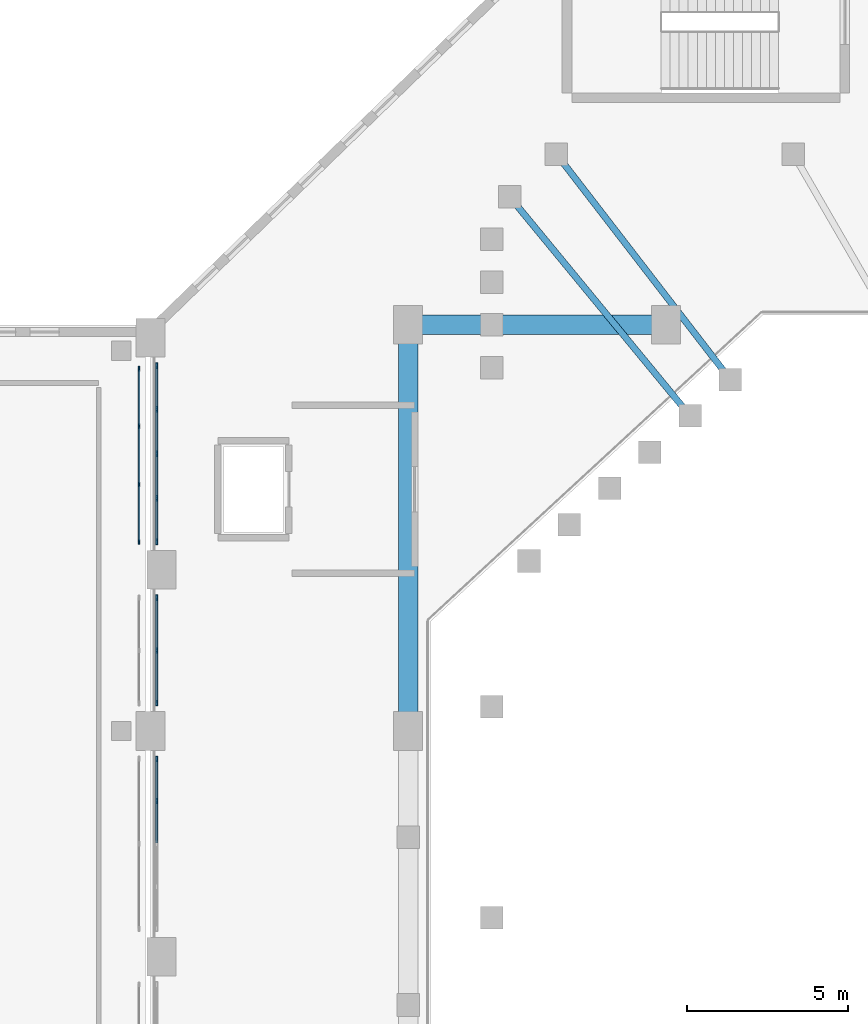
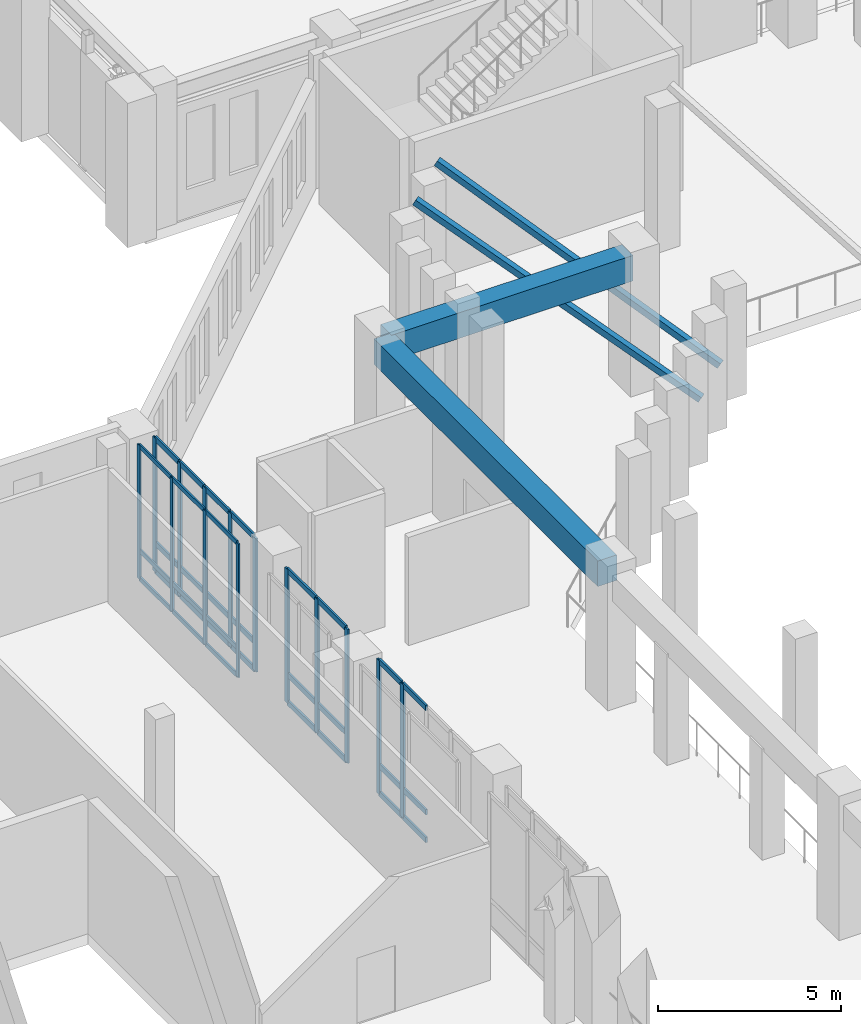
# One storey, part 31 of 126: 49 members, 2 beams, 4 elements without a shape of their own.
"""IFC4 building model written with IfcOpenShell, lengths in metres."""

from ifc_helpers import new_model, si_unit, derived_unit, direction, frame, origin, origin_2d, place, context, subcontext, project, spatial, rectangle, hollow_rectangle, extrude, material, layer, layer_set, material_profile, profile_set, type_object, element, aggregate, save


model = new_model("IFC4")

# Units and contexts
model_context = context("Model", 3, precision=1e-05, world=origin(), true_north=direction((0.0, 1.0)))
body_context = subcontext(model_context, "Body", "Model", "MODEL_VIEW")
ifc_project = project(units=[si_unit("LENGTHUNIT", "METRE"), si_unit("AREAUNIT", "SQUARE_METRE"), si_unit("VOLUMEUNIT", "CUBIC_METRE"), si_unit("PLANEANGLEUNIT", "RADIAN"), si_unit("MASSUNIT", "GRAM", prefix="KILO"), derived_unit("THERMALTRANSMITTANCEUNIT", [(si_unit("MASSUNIT", "GRAM", prefix="KILO"), 1), (si_unit("TIMEUNIT", "SECOND"), -3), (si_unit("THERMODYNAMICTEMPERATUREUNIT", "KELVIN"), -1)])], contexts=[model_context])

# Site, building, storey
site_placement = place(None, origin())
site = spatial("IfcSite", under=ifc_project, at=site_placement, CompositionType="ELEMENT")
building_placement = place(site_placement, origin())
building = spatial("IfcBuilding", under=site, at=building_placement, Name="Valcora Ridge Arena", CompositionType="ELEMENT")
storey_placement = place(building_placement, frame((0.0, 0.0, 11.39990234375)))
storey = spatial("IfcBuildingStorey", under=building, at=storey_placement, Name="L02", CompositionType="ELEMENT", Elevation=11.39990234375)

# Beams
ifc_material_1 = material(Name="Concrete C40/50", Category="concrete")
ifc_material_profile_1 = material_profile(ifc_material_1, rectangle(XDim=0.60009765625, YDim=0.85009765625, at=origin_2d()), Name="RC 600x850")
ifc_profile_set_1 = profile_set([ifc_material_profile_1], Name="Concrete C40/50")
beam_type_1 = type_object("IfcBeamType", Name="TY-BEAM-B-RC600-Y", PredefinedType="BEAM", material=ifc_profile_set_1)
beam_1_placement = place(storey_placement, frame((24.0, 83.199951171875, 4.025146484375), z_axis=(0.0, 1.0, 0.0), x_axis=(-1.0, 0.0, 0.0)))
element("IfcBeam", 1, at=beam_1_placement, inside=storey, type_object=beam_type_1, Name="B-RC600-Y BEM-B-RC600-Y-0020", PredefinedType="BEAM", context=body_context, shape_type="SweptSolid", body=[
    extrude(rectangle(XDim=0.60009765625, YDim=0.85009765625, at=origin_2d()), origin(), (0.0, 0.0, 1.0), 12.199951171875),
])
ifc_material_profile_2 = material_profile(ifc_material_1, rectangle(XDim=0.60009765625, YDim=0.85009765625, at=origin_2d()), Name="RC 600x850")
ifc_profile_set_2 = profile_set([ifc_material_profile_2], Name="Concrete C40/50")
beam_type_2 = type_object("IfcBeamType", Name="TY-BEAM-EB-RC600", PredefinedType="BEAM", material=ifc_profile_set_2)
beam_2_placement = place(storey_placement, frame((24.199951171875, 95.60009765625, 4.025146484375), z_axis=(1.0, 0.0, 0.0), x_axis=(0.0, 1.0, 0.0)))
element("IfcBeam", 2, at=beam_2_placement, inside=storey, type_object=beam_type_2, Name="EB-RC600 BEM-EB-RC600-0032", PredefinedType="BEAM", context=body_context, shape_type="SweptSolid", body=[
    extrude(rectangle(XDim=0.60009765625, YDim=0.85009765625, at=origin_2d()), origin(), (0.0, 0.0, 1.0), 7.60009765625),
])

# Curtain wall, members
ifc_material_2 = material(Name="Anodised dark bronze architectural aluminium 6063-T6", Category="aluminium")
ifc_layer_1 = layer(ifc_material_2, 0.14990234375, Name="Anodised dark bronze architectural aluminium 6063-T6")
ifc_layer_set_1 = layer_set([ifc_layer_1], Name="Anodised dark bronze architectural aluminium 6063-T6")
curtain_wall_type_1 = type_object("IfcCurtainWallType", Name="TY-CURTAINWALL-CW-V4-CLUB-054X44", PredefinedType="NOTDEFINED", material=ifc_layer_set_1)
curtain_wall_1_placement = place(storey_placement, origin())
curtain_wall_1 = element("IfcCurtainWall", 3, at=curtain_wall_1_placement, inside=storey, type_object=curtain_wall_type_1, Name="CW-V4-CLUB-054X44 CW-0269", PredefinedType="NOTDEFINED")
ifc_material_profile_3 = material_profile(ifc_material_2, rectangle(XDim=0.050048828125, YDim=0.14990234375, at=origin_2d()), Name="ALU MULLION 50x150")
ifc_profile_set_3 = profile_set([ifc_material_profile_3], Name="Anodised dark bronze architectural aluminium 6063-T6")
member_type_1 = type_object("IfcMemberType", Name="TY-MEM-CWM-50x150", PredefinedType="MULLION", material=ifc_profile_set_3)
member_1_placement = place(storey_placement, frame((15.64990234375, 88.864990234375, 0.0), z_axis=(0.0, 0.0, 1.0), x_axis=(-1.0, 0.0, 0.0)))
member_1 = element("IfcMember", 4, at=member_1_placement, type_object=member_type_1, Name="CW-0269/CWM-50x150/M00", PredefinedType="MULLION", context=body_context, shape_type="SweptSolid", body=[
    extrude(rectangle(XDim=0.050048828125, YDim=0.14990234375, at=origin_2d()), origin(), (0.0, 0.0, 1.0), 4.4501953125),
])
member_2_placement = place(storey_placement, frame((15.64990234375, 90.646728515625, 0.0), z_axis=(0.0, 0.0, 1.0), x_axis=(-1.0, 0.0, 0.0)))
member_2 = element("IfcMember", 5, at=member_2_placement, type_object=member_type_1, Name="CW-0269/CWM-50x150/M01", PredefinedType="MULLION", context=body_context, shape_type="SweptSolid", body=[
    extrude(rectangle(XDim=0.050048828125, YDim=0.14990234375, at=origin_2d()), origin(), (0.0, 0.0, 1.0), 4.4501953125),
])
member_3_placement = place(storey_placement, frame((15.64990234375, 92.453369140625, 0.0), z_axis=(0.0, 0.0, 1.0), x_axis=(-1.0, 0.0, 0.0)))
member_3 = element("IfcMember", 6, at=member_3_placement, type_object=member_type_1, Name="CW-0269/CWM-50x150/M02", PredefinedType="MULLION", context=body_context, shape_type="SweptSolid", body=[
    extrude(rectangle(XDim=0.050048828125, YDim=0.14990234375, at=origin_2d()), origin(), (0.0, 0.0, 1.0), 4.4501953125),
])
member_4_placement = place(storey_placement, frame((15.64990234375, 94.235107421875, 0.0), z_axis=(0.0, 0.0, 1.0), x_axis=(-1.0, 0.0, 0.0)))
member_4 = element("IfcMember", 7, at=member_4_placement, type_object=member_type_1, Name="CW-0269/CWM-50x150/M03", PredefinedType="MULLION", context=body_context, shape_type="SweptSolid", body=[
    extrude(rectangle(XDim=0.050048828125, YDim=0.14990234375, at=origin_2d()), origin(), (0.0, 0.0, 1.0), 4.4501953125),
])

ifc_layer_2 = layer(ifc_material_2, 0.179931640625, Name="Anodised dark bronze architectural aluminium 6063-T6")
ifc_layer_set_2 = layer_set([ifc_layer_2], Name="Anodised dark bronze architectural aluminium 6063-T6")
curtain_wall_type_2 = type_object("IfcCurtainWallType", Name="TY-CURTAINWALL-CW-V1-GOTH-053X44", PredefinedType="NOTDEFINED", material=ifc_layer_set_2)
curtain_wall_2_placement = place(storey_placement, origin())
curtain_wall_2 = element("IfcCurtainWall", 8, at=curtain_wall_2_placement, inside=storey, type_object=curtain_wall_type_2, Name="CW-V1-GOTH-053X44 CW-0117", PredefinedType="NOTDEFINED")
ifc_material_profile_4 = material_profile(ifc_material_2, rectangle(XDim=0.06005859375, YDim=0.179931640625, at=origin_2d()), Name="ALU MULLION 60x180")
ifc_profile_set_4 = profile_set([ifc_material_profile_4], Name="Anodised dark bronze architectural aluminium 6063-T6")
member_type_2 = type_object("IfcMemberType", Name="TY-MEM-CWM-60x180", PredefinedType="MULLION", material=ifc_profile_set_4)
member_5_placement = place(storey_placement, frame((16.199951171875, 80.830078125, 0.0), z_axis=(0.0, 0.0, 1.0), x_axis=(-1.0, 0.0, 0.0)))
member_5 = element("IfcMember", 9, at=member_5_placement, type_object=member_type_2, Name="CW-0117/CWM-60x180/M03", PredefinedType="MULLION", context=body_context, shape_type="SweptSolid", body=[
    extrude(rectangle(XDim=0.06005859375, YDim=0.179931640625, at=origin_2d()), origin(), (0.0, 0.0, 1.0), 4.4501953125),
])
member_6_placement = place(storey_placement, frame((16.199951171875, 82.1298828125, 0.0), z_axis=(0.0, 0.0, 1.0), x_axis=(-1.0, 0.0, 0.0)))
member_6 = element("IfcMember", 10, at=member_6_placement, type_object=member_type_2, Name="CW-0117/CWM-60x180/M04", PredefinedType="MULLION", context=body_context, shape_type="SweptSolid", body=[
    extrude(rectangle(XDim=0.06005859375, YDim=0.179931640625, at=origin_2d()), origin(), (0.0, 0.0, 1.0), 4.4501953125),
])

ifc_layer_3 = layer(ifc_material_2, 0.179931640625, Name="Anodised dark bronze architectural aluminium 6063-T6")
ifc_layer_set_3 = layer_set([ifc_layer_3], Name="Anodised dark bronze architectural aluminium 6063-T6")
curtain_wall_type_3 = type_object("IfcCurtainWallType", Name="TY-CURTAINWALL-CW-V1-GOTH-033X44", PredefinedType="NOTDEFINED", material=ifc_layer_set_3)
curtain_wall_3_placement = place(storey_placement, origin())
curtain_wall_3 = element("IfcCurtainWall", 11, at=curtain_wall_3_placement, inside=storey, type_object=curtain_wall_type_3, Name="CW-V1-GOTH-033X44 CW-0118", PredefinedType="NOTDEFINED")
member_7_placement = place(storey_placement, frame((16.199951171875, 83.8701171875, 0.0), z_axis=(0.0, 0.0, 1.0), x_axis=(-1.0, 0.0, 0.0)))
member_7 = element("IfcMember", 12, at=member_7_placement, type_object=member_type_2, Name="CW-0118/CWM-60x180/M00", PredefinedType="MULLION", context=body_context, shape_type="SweptSolid", body=[
    extrude(rectangle(XDim=0.06005859375, YDim=0.179931640625, at=origin_2d()), origin(), (0.0, 0.0, 1.0), 4.4501953125),
])
member_8_placement = place(storey_placement, frame((16.199951171875, 85.5, 0.0), z_axis=(0.0, 0.0, 1.0), x_axis=(-1.0, 0.0, 0.0)))
member_8 = element("IfcMember", 13, at=member_8_placement, type_object=member_type_2, Name="CW-0118/CWM-60x180/M01", PredefinedType="MULLION", context=body_context, shape_type="SweptSolid", body=[
    extrude(rectangle(XDim=0.06005859375, YDim=0.179931640625, at=origin_2d()), origin(), (0.0, 0.0, 1.0), 4.4501953125),
])
member_9_placement = place(storey_placement, frame((16.199951171875, 87.1298828125, 0.0), z_axis=(0.0, 0.0, 1.0), x_axis=(-1.0, 0.0, 0.0)))
member_9 = element("IfcMember", 14, at=member_9_placement, type_object=member_type_2, Name="CW-0118/CWM-60x180/M02", PredefinedType="MULLION", context=body_context, shape_type="SweptSolid", body=[
    extrude(rectangle(XDim=0.06005859375, YDim=0.179931640625, at=origin_2d()), origin(), (0.0, 0.0, 1.0), 4.4501953125),
])

ifc_layer_4 = layer(ifc_material_2, 0.179931640625, Name="Anodised dark bronze architectural aluminium 6063-T6")
ifc_layer_set_4 = layer_set([ifc_layer_4], Name="Anodised dark bronze architectural aluminium 6063-T6")
curtain_wall_type_4 = type_object("IfcCurtainWallType", Name="TY-CURTAINWALL-CW-V1-GOTH-055X44", PredefinedType="NOTDEFINED", material=ifc_layer_set_4)
curtain_wall_4_placement = place(storey_placement, origin())
curtain_wall_4 = element("IfcCurtainWall", 15, at=curtain_wall_4_placement, inside=storey, type_object=curtain_wall_type_4, Name="CW-V1-GOTH-055X44 CW-0119", PredefinedType="NOTDEFINED")
member_10_placement = place(storey_placement, frame((16.199951171875, 88.8701171875, 0.0), z_axis=(0.0, 0.0, 1.0), x_axis=(-1.0, 0.0, 0.0)))
member_10 = element("IfcMember", 16, at=member_10_placement, type_object=member_type_2, Name="CW-0119/CWM-60x180/M00", PredefinedType="MULLION", context=body_context, shape_type="SweptSolid", body=[
    extrude(rectangle(XDim=0.06005859375, YDim=0.179931640625, at=origin_2d()), origin(), (0.0, 0.0, 1.0), 4.4501953125),
])
member_11_placement = place(storey_placement, frame((16.199951171875, 90.219970703125, 0.0), z_axis=(0.0, 0.0, 1.0), x_axis=(-1.0, 0.0, 0.0)))
member_11 = element("IfcMember", 17, at=member_11_placement, type_object=member_type_2, Name="CW-0119/CWM-60x180/M01", PredefinedType="MULLION", context=body_context, shape_type="SweptSolid", body=[
    extrude(rectangle(XDim=0.06005859375, YDim=0.179931640625, at=origin_2d()), origin(), (0.0, 0.0, 1.0), 4.4501953125),
])
member_12_placement = place(storey_placement, frame((16.199951171875, 91.60009765625, 0.0), z_axis=(0.0, 0.0, 1.0), x_axis=(-1.0, 0.0, 0.0)))
member_12 = element("IfcMember", 18, at=member_12_placement, type_object=member_type_2, Name="CW-0119/CWM-60x180/M02", PredefinedType="MULLION", context=body_context, shape_type="SweptSolid", body=[
    extrude(rectangle(XDim=0.06005859375, YDim=0.179931640625, at=origin_2d()), origin(), (0.0, 0.0, 1.0), 4.4501953125),
])
member_13_placement = place(storey_placement, frame((16.199951171875, 92.97998046875, 0.0), z_axis=(0.0, 0.0, 1.0), x_axis=(-1.0, 0.0, 0.0)))
member_13 = element("IfcMember", 19, at=member_13_placement, type_object=member_type_2, Name="CW-0119/CWM-60x180/M03", PredefinedType="MULLION", context=body_context, shape_type="SweptSolid", body=[
    extrude(rectangle(XDim=0.06005859375, YDim=0.179931640625, at=origin_2d()), origin(), (0.0, 0.0, 1.0), 4.4501953125),
])
member_14_placement = place(storey_placement, frame((16.199951171875, 94.330078125, 0.0), z_axis=(0.0, 0.0, 1.0), x_axis=(-1.0, 0.0, 0.0)))
member_14 = element("IfcMember", 20, at=member_14_placement, type_object=member_type_2, Name="CW-0119/CWM-60x180/M04", PredefinedType="MULLION", context=body_context, shape_type="SweptSolid", body=[
    extrude(rectangle(XDim=0.06005859375, YDim=0.179931640625, at=origin_2d()), origin(), (0.0, 0.0, 1.0), 4.4501953125),
])

# Member
ifc_material_profile_5 = material_profile(ifc_material_2, rectangle(XDim=0.050048828125, YDim=0.14990234375, at=origin_2d()), Name="ALU TRANSOM 50x150")
ifc_profile_set_5 = profile_set([ifc_material_profile_5], Name="Anodised dark bronze architectural aluminium 6063-T6")
member_type_3 = type_object("IfcMemberType", Name="TY-MEM-CWT-50x150", PredefinedType="USERDEFINED", material=ifc_profile_set_5)
member_15_placement = place(storey_placement, frame((15.64990234375, 88.889892578125, 0.025146484375), z_axis=(0.0, 1.0, 0.0), x_axis=(-1.0, 0.0, 0.0)))
member_15 = element("IfcMember", 21, at=member_15_placement, type_object=member_type_3, Name="CW-0269/CWT-50x150/T00-00", ObjectType="TRANSOM", PredefinedType="USERDEFINED", context=body_context, shape_type="SweptSolid", body=[
    extrude(rectangle(XDim=0.050048828125, YDim=0.14990234375, at=origin_2d()), origin(), (0.0, 0.0, 1.0), 1.732177734375),
])

member_16_placement = place(storey_placement, frame((15.64990234375, 88.889892578125, 0.9501953125), z_axis=(0.0, 1.0, 0.0), x_axis=(-1.0, 0.0, 0.0)))
member_16 = element("IfcMember", 22, at=member_16_placement, type_object=member_type_3, Name="CW-0269/CWT-50x150/T00-01", ObjectType="TRANSOM", PredefinedType="USERDEFINED", context=body_context, shape_type="SweptSolid", body=[
    extrude(rectangle(XDim=0.050048828125, YDim=0.14990234375, at=origin_2d()), origin(), (0.0, 0.0, 1.0), 1.732177734375),
])

member_17_placement = place(storey_placement, frame((15.64990234375, 88.889892578125, 4.425048828125), z_axis=(0.0, 1.0, 0.0), x_axis=(-1.0, 0.0, 0.0)))
member_17 = element("IfcMember", 23, at=member_17_placement, type_object=member_type_3, Name="CW-0269/CWT-50x150/T00-02", ObjectType="TRANSOM", PredefinedType="USERDEFINED", context=body_context, shape_type="SweptSolid", body=[
    extrude(rectangle(XDim=0.050048828125, YDim=0.14990234375, at=origin_2d()), origin(), (0.0, 0.0, 1.0), 1.732177734375),
])

member_18_placement = place(storey_placement, frame((15.64990234375, 90.672119140625, 0.025146484375), z_axis=(0.0, 1.0, 0.0), x_axis=(-1.0, 0.0, 0.0)))
member_18 = element("IfcMember", 24, at=member_18_placement, type_object=member_type_3, Name="CW-0269/CWT-50x150/T01-00", ObjectType="TRANSOM", PredefinedType="USERDEFINED", context=body_context, shape_type="SweptSolid", body=[
    extrude(rectangle(XDim=0.050048828125, YDim=0.14990234375, at=origin_2d()), origin(), (0.0, 0.0, 1.0), 1.755859375),
])

member_19_placement = place(storey_placement, frame((15.64990234375, 90.672119140625, 0.9501953125), z_axis=(0.0, 1.0, 0.0), x_axis=(-1.0, 0.0, 0.0)))
member_19 = element("IfcMember", 25, at=member_19_placement, type_object=member_type_3, Name="CW-0269/CWT-50x150/T01-01", ObjectType="TRANSOM", PredefinedType="USERDEFINED", context=body_context, shape_type="SweptSolid", body=[
    extrude(rectangle(XDim=0.050048828125, YDim=0.14990234375, at=origin_2d()), origin(), (0.0, 0.0, 1.0), 1.755859375),
])

member_20_placement = place(storey_placement, frame((15.64990234375, 90.672119140625, 4.425048828125), z_axis=(0.0, 1.0, 0.0), x_axis=(-1.0, 0.0, 0.0)))
member_20 = element("IfcMember", 26, at=member_20_placement, type_object=member_type_3, Name="CW-0269/CWT-50x150/T01-02", ObjectType="TRANSOM", PredefinedType="USERDEFINED", context=body_context, shape_type="SweptSolid", body=[
    extrude(rectangle(XDim=0.050048828125, YDim=0.14990234375, at=origin_2d()), origin(), (0.0, 0.0, 1.0), 1.755859375),
])

member_21_placement = place(storey_placement, frame((15.64990234375, 92.47802734375, 0.025146484375), z_axis=(0.0, 1.0, 0.0), x_axis=(-1.0, 0.0, 0.0)))
member_21 = element("IfcMember", 27, at=member_21_placement, type_object=member_type_3, Name="CW-0269/CWT-50x150/T02-00", ObjectType="TRANSOM", PredefinedType="USERDEFINED", context=body_context, shape_type="SweptSolid", body=[
    extrude(rectangle(XDim=0.050048828125, YDim=0.14990234375, at=origin_2d()), origin(), (0.0, 0.0, 1.0), 1.73193359375),
])

member_22_placement = place(storey_placement, frame((15.64990234375, 92.47802734375, 0.9501953125), z_axis=(0.0, 1.0, 0.0), x_axis=(-1.0, 0.0, 0.0)))
member_22 = element("IfcMember", 28, at=member_22_placement, type_object=member_type_3, Name="CW-0269/CWT-50x150/T02-01", ObjectType="TRANSOM", PredefinedType="USERDEFINED", context=body_context, shape_type="SweptSolid", body=[
    extrude(rectangle(XDim=0.050048828125, YDim=0.14990234375, at=origin_2d()), origin(), (0.0, 0.0, 1.0), 1.73193359375),
])

member_23_placement = place(storey_placement, frame((15.64990234375, 92.47802734375, 4.425048828125), z_axis=(0.0, 1.0, 0.0), x_axis=(-1.0, 0.0, 0.0)))
member_23 = element("IfcMember", 29, at=member_23_placement, type_object=member_type_3, Name="CW-0269/CWT-50x150/T02-02", ObjectType="TRANSOM", PredefinedType="USERDEFINED", context=body_context, shape_type="SweptSolid", body=[
    extrude(rectangle(XDim=0.050048828125, YDim=0.14990234375, at=origin_2d()), origin(), (0.0, 0.0, 1.0), 1.73193359375),
])

aggregate(curtain_wall_1, [member_1, member_2, member_3, member_4, member_15, member_16, member_17, member_18, member_19, member_20, member_21, member_22, member_23])

ifc_material_profile_6 = material_profile(ifc_material_2, rectangle(XDim=0.06005859375, YDim=0.179931640625, at=origin_2d()), Name="ALU TRANSOM 60x180")
ifc_profile_set_6 = profile_set([ifc_material_profile_6], Name="Anodised dark bronze architectural aluminium 6063-T6")
member_type_4 = type_object("IfcMemberType", Name="TY-MEM-CWT-60x180", PredefinedType="USERDEFINED", material=ifc_profile_set_6)
member_24_placement = place(storey_placement, frame((16.199951171875, 79.530029296875, 0.030029296875), z_axis=(0.0, 1.0, 0.0), x_axis=(-1.0, 0.0, 0.0)))
member_24 = element("IfcMember", 30, at=member_24_placement, type_object=member_type_4, Name="CW-0117/CWT-60x180/T02-00", ObjectType="TRANSOM", PredefinedType="USERDEFINED", context=body_context, shape_type="SweptSolid", body=[
    extrude(rectangle(XDim=0.06005859375, YDim=0.179931640625, at=origin_2d()), origin(), (0.0, 0.0, 1.0), 1.27001953125),
])

member_25_placement = place(storey_placement, frame((16.199951171875, 79.530029296875, 0.9501953125), z_axis=(0.0, 1.0, 0.0), x_axis=(-1.0, 0.0, 0.0)))
member_25 = element("IfcMember", 31, at=member_25_placement, type_object=member_type_4, Name="CW-0117/CWT-60x180/T02-01", ObjectType="TRANSOM", PredefinedType="USERDEFINED", context=body_context, shape_type="SweptSolid", body=[
    extrude(rectangle(XDim=0.06005859375, YDim=0.179931640625, at=origin_2d()), origin(), (0.0, 0.0, 1.0), 1.27001953125),
])

member_26_placement = place(storey_placement, frame((16.199951171875, 79.530029296875, 4.420166015625), z_axis=(0.0, 1.0, 0.0), x_axis=(-1.0, 0.0, 0.0)))
member_26 = element("IfcMember", 32, at=member_26_placement, type_object=member_type_4, Name="CW-0117/CWT-60x180/T02-02", ObjectType="TRANSOM", PredefinedType="USERDEFINED", context=body_context, shape_type="SweptSolid", body=[
    extrude(rectangle(XDim=0.06005859375, YDim=0.179931640625, at=origin_2d()), origin(), (0.0, 0.0, 1.0), 1.27001953125),
])

member_27_placement = place(storey_placement, frame((16.199951171875, 80.860107421875, 0.030029296875), z_axis=(0.0, 1.0, 0.0), x_axis=(-1.0, 0.0, 0.0)))
member_27 = element("IfcMember", 33, at=member_27_placement, type_object=member_type_4, Name="CW-0117/CWT-60x180/T03-00", ObjectType="TRANSOM", PredefinedType="USERDEFINED", context=body_context, shape_type="SweptSolid", body=[
    extrude(rectangle(XDim=0.06005859375, YDim=0.179931640625, at=origin_2d()), origin(), (0.0, 0.0, 1.0), 1.239990234375),
])

member_28_placement = place(storey_placement, frame((16.199951171875, 80.860107421875, 0.9501953125), z_axis=(0.0, 1.0, 0.0), x_axis=(-1.0, 0.0, 0.0)))
member_28 = element("IfcMember", 34, at=member_28_placement, type_object=member_type_4, Name="CW-0117/CWT-60x180/T03-01", ObjectType="TRANSOM", PredefinedType="USERDEFINED", context=body_context, shape_type="SweptSolid", body=[
    extrude(rectangle(XDim=0.06005859375, YDim=0.179931640625, at=origin_2d()), origin(), (0.0, 0.0, 1.0), 1.239990234375),
])

member_29_placement = place(storey_placement, frame((16.199951171875, 80.860107421875, 4.420166015625), z_axis=(0.0, 1.0, 0.0), x_axis=(-1.0, 0.0, 0.0)))
member_29 = element("IfcMember", 35, at=member_29_placement, type_object=member_type_4, Name="CW-0117/CWT-60x180/T03-02", ObjectType="TRANSOM", PredefinedType="USERDEFINED", context=body_context, shape_type="SweptSolid", body=[
    extrude(rectangle(XDim=0.06005859375, YDim=0.179931640625, at=origin_2d()), origin(), (0.0, 0.0, 1.0), 1.239990234375),
])

aggregate(curtain_wall_2, [member_5, member_6, member_24, member_25, member_26, member_27, member_28, member_29])

member_30_placement = place(storey_placement, frame((16.199951171875, 83.89990234375, 0.030029296875), z_axis=(0.0, 1.0, 0.0), x_axis=(-1.0, 0.0, 0.0)))
member_30 = element("IfcMember", 36, at=member_30_placement, type_object=member_type_4, Name="CW-0118/CWT-60x180/T00-00", ObjectType="TRANSOM", PredefinedType="USERDEFINED", context=body_context, shape_type="SweptSolid", body=[
    extrude(rectangle(XDim=0.06005859375, YDim=0.179931640625, at=origin_2d()), origin(), (0.0, 0.0, 1.0), 1.570068359375),
])

member_31_placement = place(storey_placement, frame((16.199951171875, 83.89990234375, 0.9501953125), z_axis=(0.0, 1.0, 0.0), x_axis=(-1.0, 0.0, 0.0)))
member_31 = element("IfcMember", 37, at=member_31_placement, type_object=member_type_4, Name="CW-0118/CWT-60x180/T00-01", ObjectType="TRANSOM", PredefinedType="USERDEFINED", context=body_context, shape_type="SweptSolid", body=[
    extrude(rectangle(XDim=0.06005859375, YDim=0.179931640625, at=origin_2d()), origin(), (0.0, 0.0, 1.0), 1.570068359375),
])

member_32_placement = place(storey_placement, frame((16.199951171875, 83.89990234375, 4.420166015625), z_axis=(0.0, 1.0, 0.0), x_axis=(-1.0, 0.0, 0.0)))
member_32 = element("IfcMember", 38, at=member_32_placement, type_object=member_type_4, Name="CW-0118/CWT-60x180/T00-02", ObjectType="TRANSOM", PredefinedType="USERDEFINED", context=body_context, shape_type="SweptSolid", body=[
    extrude(rectangle(XDim=0.06005859375, YDim=0.179931640625, at=origin_2d()), origin(), (0.0, 0.0, 1.0), 1.570068359375),
])

member_33_placement = place(storey_placement, frame((16.199951171875, 85.530029296875, 0.030029296875), z_axis=(0.0, 1.0, 0.0), x_axis=(-1.0, 0.0, 0.0)))
member_33 = element("IfcMember", 39, at=member_33_placement, type_object=member_type_4, Name="CW-0118/CWT-60x180/T01-00", ObjectType="TRANSOM", PredefinedType="USERDEFINED", context=body_context, shape_type="SweptSolid", body=[
    extrude(rectangle(XDim=0.06005859375, YDim=0.179931640625, at=origin_2d()), origin(), (0.0, 0.0, 1.0), 1.570068359375),
])

member_34_placement = place(storey_placement, frame((16.199951171875, 85.530029296875, 0.9501953125), z_axis=(0.0, 1.0, 0.0), x_axis=(-1.0, 0.0, 0.0)))
member_34 = element("IfcMember", 40, at=member_34_placement, type_object=member_type_4, Name="CW-0118/CWT-60x180/T01-01", ObjectType="TRANSOM", PredefinedType="USERDEFINED", context=body_context, shape_type="SweptSolid", body=[
    extrude(rectangle(XDim=0.06005859375, YDim=0.179931640625, at=origin_2d()), origin(), (0.0, 0.0, 1.0), 1.570068359375),
])

member_35_placement = place(storey_placement, frame((16.199951171875, 85.530029296875, 4.420166015625), z_axis=(0.0, 1.0, 0.0), x_axis=(-1.0, 0.0, 0.0)))
member_35 = element("IfcMember", 41, at=member_35_placement, type_object=member_type_4, Name="CW-0118/CWT-60x180/T01-02", ObjectType="TRANSOM", PredefinedType="USERDEFINED", context=body_context, shape_type="SweptSolid", body=[
    extrude(rectangle(XDim=0.06005859375, YDim=0.179931640625, at=origin_2d()), origin(), (0.0, 0.0, 1.0), 1.570068359375),
])

aggregate(curtain_wall_3, [member_7, member_8, member_9, member_30, member_31, member_32, member_33, member_34, member_35])

member_36_placement = place(storey_placement, frame((16.199951171875, 88.89990234375, 0.030029296875), z_axis=(0.0, 1.0, 0.0), x_axis=(-1.0, 0.0, 0.0)))
member_36 = element("IfcMember", 42, at=member_36_placement, type_object=member_type_4, Name="CW-0119/CWT-60x180/T00-00", ObjectType="TRANSOM", PredefinedType="USERDEFINED", context=body_context, shape_type="SweptSolid", body=[
    extrude(rectangle(XDim=0.06005859375, YDim=0.179931640625, at=origin_2d()), origin(), (0.0, 0.0, 1.0), 1.2900390625),
])

member_37_placement = place(storey_placement, frame((16.199951171875, 88.89990234375, 0.9501953125), z_axis=(0.0, 1.0, 0.0), x_axis=(-1.0, 0.0, 0.0)))
member_37 = element("IfcMember", 43, at=member_37_placement, type_object=member_type_4, Name="CW-0119/CWT-60x180/T00-01", ObjectType="TRANSOM", PredefinedType="USERDEFINED", context=body_context, shape_type="SweptSolid", body=[
    extrude(rectangle(XDim=0.06005859375, YDim=0.179931640625, at=origin_2d()), origin(), (0.0, 0.0, 1.0), 1.2900390625),
])

member_38_placement = place(storey_placement, frame((16.199951171875, 88.89990234375, 4.420166015625), z_axis=(0.0, 1.0, 0.0), x_axis=(-1.0, 0.0, 0.0)))
member_38 = element("IfcMember", 44, at=member_38_placement, type_object=member_type_4, Name="CW-0119/CWT-60x180/T00-02", ObjectType="TRANSOM", PredefinedType="USERDEFINED", context=body_context, shape_type="SweptSolid", body=[
    extrude(rectangle(XDim=0.06005859375, YDim=0.179931640625, at=origin_2d()), origin(), (0.0, 0.0, 1.0), 1.2900390625),
])

member_39_placement = place(storey_placement, frame((16.199951171875, 90.25, 0.030029296875), z_axis=(0.0, 1.0, 0.0), x_axis=(-1.0, 0.0, 0.0)))
member_39 = element("IfcMember", 45, at=member_39_placement, type_object=member_type_4, Name="CW-0119/CWT-60x180/T01-00", ObjectType="TRANSOM", PredefinedType="USERDEFINED", context=body_context, shape_type="SweptSolid", body=[
    extrude(rectangle(XDim=0.06005859375, YDim=0.179931640625, at=origin_2d()), origin(), (0.0, 0.0, 1.0), 1.320068359375),
])

member_40_placement = place(storey_placement, frame((16.199951171875, 90.25, 0.9501953125), z_axis=(0.0, 1.0, 0.0), x_axis=(-1.0, 0.0, 0.0)))
member_40 = element("IfcMember", 46, at=member_40_placement, type_object=member_type_4, Name="CW-0119/CWT-60x180/T01-01", ObjectType="TRANSOM", PredefinedType="USERDEFINED", context=body_context, shape_type="SweptSolid", body=[
    extrude(rectangle(XDim=0.06005859375, YDim=0.179931640625, at=origin_2d()), origin(), (0.0, 0.0, 1.0), 1.320068359375),
])

member_41_placement = place(storey_placement, frame((16.199951171875, 90.25, 4.420166015625), z_axis=(0.0, 1.0, 0.0), x_axis=(-1.0, 0.0, 0.0)))
member_41 = element("IfcMember", 47, at=member_41_placement, type_object=member_type_4, Name="CW-0119/CWT-60x180/T01-02", ObjectType="TRANSOM", PredefinedType="USERDEFINED", context=body_context, shape_type="SweptSolid", body=[
    extrude(rectangle(XDim=0.06005859375, YDim=0.179931640625, at=origin_2d()), origin(), (0.0, 0.0, 1.0), 1.320068359375),
])

member_42_placement = place(storey_placement, frame((16.199951171875, 91.6298828125, 0.030029296875), z_axis=(0.0, 1.0, 0.0), x_axis=(-1.0, 0.0, 0.0)))
member_42 = element("IfcMember", 48, at=member_42_placement, type_object=member_type_4, Name="CW-0119/CWT-60x180/T02-00", ObjectType="TRANSOM", PredefinedType="USERDEFINED", context=body_context, shape_type="SweptSolid", body=[
    extrude(rectangle(XDim=0.06005859375, YDim=0.179931640625, at=origin_2d()), origin(), (0.0, 0.0, 1.0), 1.320068359375),
])

member_43_placement = place(storey_placement, frame((16.199951171875, 91.6298828125, 0.9501953125), z_axis=(0.0, 1.0, 0.0), x_axis=(-1.0, 0.0, 0.0)))
member_43 = element("IfcMember", 49, at=member_43_placement, type_object=member_type_4, Name="CW-0119/CWT-60x180/T02-01", ObjectType="TRANSOM", PredefinedType="USERDEFINED", context=body_context, shape_type="SweptSolid", body=[
    extrude(rectangle(XDim=0.06005859375, YDim=0.179931640625, at=origin_2d()), origin(), (0.0, 0.0, 1.0), 1.320068359375),
])

member_44_placement = place(storey_placement, frame((16.199951171875, 91.6298828125, 4.420166015625), z_axis=(0.0, 1.0, 0.0), x_axis=(-1.0, 0.0, 0.0)))
member_44 = element("IfcMember", 50, at=member_44_placement, type_object=member_type_4, Name="CW-0119/CWT-60x180/T02-02", ObjectType="TRANSOM", PredefinedType="USERDEFINED", context=body_context, shape_type="SweptSolid", body=[
    extrude(rectangle(XDim=0.06005859375, YDim=0.179931640625, at=origin_2d()), origin(), (0.0, 0.0, 1.0), 1.320068359375),
])

member_45_placement = place(storey_placement, frame((16.199951171875, 93.010009765625, 0.030029296875), z_axis=(0.0, 1.0, 0.0), x_axis=(-1.0, 0.0, 0.0)))
member_45 = element("IfcMember", 51, at=member_45_placement, type_object=member_type_4, Name="CW-0119/CWT-60x180/T03-00", ObjectType="TRANSOM", PredefinedType="USERDEFINED", context=body_context, shape_type="SweptSolid", body=[
    extrude(rectangle(XDim=0.06005859375, YDim=0.179931640625, at=origin_2d()), origin(), (0.0, 0.0, 1.0), 1.2900390625),
])

member_46_placement = place(storey_placement, frame((16.199951171875, 93.010009765625, 0.9501953125), z_axis=(0.0, 1.0, 0.0), x_axis=(-1.0, 0.0, 0.0)))
member_46 = element("IfcMember", 52, at=member_46_placement, type_object=member_type_4, Name="CW-0119/CWT-60x180/T03-01", ObjectType="TRANSOM", PredefinedType="USERDEFINED", context=body_context, shape_type="SweptSolid", body=[
    extrude(rectangle(XDim=0.06005859375, YDim=0.179931640625, at=origin_2d()), origin(), (0.0, 0.0, 1.0), 1.2900390625),
])

member_47_placement = place(storey_placement, frame((16.199951171875, 93.010009765625, 4.420166015625), z_axis=(0.0, 1.0, 0.0), x_axis=(-1.0, 0.0, 0.0)))
member_47 = element("IfcMember", 53, at=member_47_placement, type_object=member_type_4, Name="CW-0119/CWT-60x180/T03-02", ObjectType="TRANSOM", PredefinedType="USERDEFINED", context=body_context, shape_type="SweptSolid", body=[
    extrude(rectangle(XDim=0.06005859375, YDim=0.179931640625, at=origin_2d()), origin(), (0.0, 0.0, 1.0), 1.2900390625),
])

aggregate(curtain_wall_4, [member_10, member_11, member_12, member_13, member_14, member_36, member_37, member_38, member_39, member_40, member_41, member_42, member_43, member_44, member_45, member_46, member_47])

# Members
ifc_material_3 = material(Name="Steel ASTM A500 Grade C", Category="steel")
ifc_material_profile_7 = material_profile(ifc_material_3, hollow_rectangle(XDim=0.199951171875, YDim=0.199951171875, WallThickness=0.012451171875, at=origin_2d()), Name="HSS200X200X12")
ifc_profile_set_7 = profile_set([ifc_material_profile_7], Name="Steel ASTM A500 Grade C")
member_type_5 = type_object("IfcMemberType", Name="TY-MEMBER-RKRUD-200", PredefinedType="BRACE", material=ifc_profile_set_7)
member_48_placement = place(storey_placement, frame((33.849609375, 94.0947265625, 0.833740234375), z_axis=(-0.536787845456, 0.695842758825, 0.477139040491), x_axis=(-0.79178508408, -0.610799787679, 0.0)))
element("IfcMember", 54, at=member_48_placement, inside=storey, type_object=member_type_5, Name="RKRUD-200 Raker Diagonal Brace", PredefinedType="BRACE", context=body_context, shape_type="SweptSolid", body=[
    extrude(hollow_rectangle(XDim=0.199951171875, YDim=0.199951171875, WallThickness=0.012451171875, at=origin_2d()), origin(), (0.0, 0.0, 1.0), 9.499755859375),
])
member_49_placement = place(storey_placement, frame((32.59375, 92.96484375, 0.833984375), z_axis=(-0.558208565242, 0.677830209573, 0.478486577326), x_axis=(-0.771932777545, -0.635704166222, 0.0)))
element("IfcMember", 55, at=member_49_placement, inside=storey, type_object=member_type_5, Name="RKRUD-200 Raker Diagonal Brace", PredefinedType="BRACE", context=body_context, shape_type="SweptSolid", body=[
    extrude(hollow_rectangle(XDim=0.199951171875, YDim=0.199951171875, WallThickness=0.012451171875, at=origin_2d()), origin(), (0.0, 0.0, 1.0), 9.471923828125),
])

save(model, "model.ifc")
